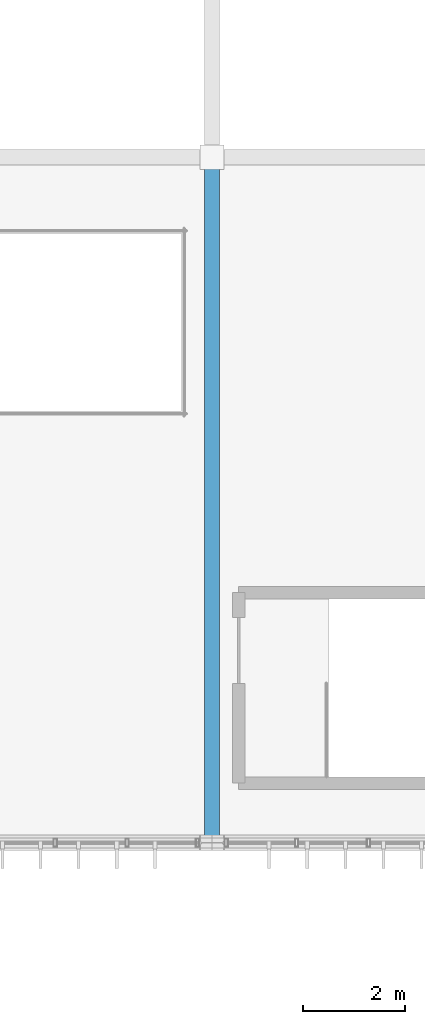
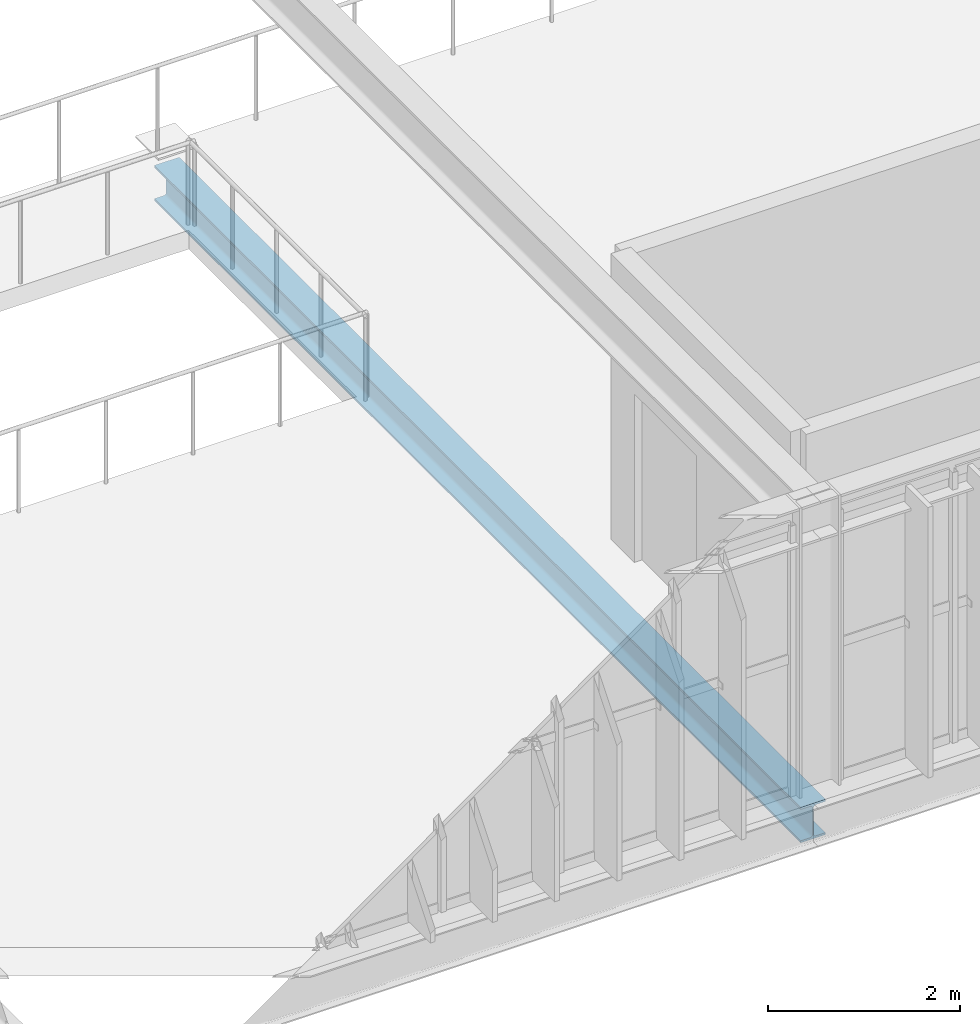
# One storey, part 23 of 152: 1 beam.
"""IFC4 building model written with IfcOpenShell, lengths in metres."""

import ifcopenshell
import ifcopenshell.guid

model = None  # the IFC model being written
_history = None  # IfcOwnerHistory: only IFC2X3 demands one
_inside = {}  # id of a spatial element -> (the spatial element, [elements in it])
_under = {}  # id of a project, library or spatial element -> (it, [spatial elements below it])
_declared = {}  # id of a project -> (the project, [libraries it declares])
_typed = {}  # id of a type object -> (the type object, [elements of that type])
_made_of = {}  # id of a material, layer set ... -> (it, [elements and type objects made of it])


def new_model(schema):
    """Start an empty IFC model of exactly this schema.

    Asked for "IFC4X3", IfcOpenShell would pick the latest addendum, in which some entities
    have other attributes; the version numbers below select the first issue.
    IFC2X3 requires an IfcOwnerHistory on every rooted entity: one is made here for all.
    """
    global model, _history
    if schema == "IFC4X3":
        model = ifcopenshell.file(schema_version=(4, 3, 0, 0))
    else:
        model = ifcopenshell.file(schema=schema)
    _inside.clear()
    _under.clear()
    _declared.clear()
    _typed.clear()
    _made_of.clear()
    _history = None
    if model.schema == "IFC2X3":
        org = make("IfcOrganization", Name="unknown")
        user = make(
            "IfcPersonAndOrganization",
            ThePerson=make("IfcPerson", FamilyName="unknown"),
            TheOrganization=org,
        )
        app = make(
            "IfcApplication",
            ApplicationDeveloper=org,
            Version="unknown",
            ApplicationFullName="unknown",
            ApplicationIdentifier="unknown",
        )
        _history = make(
            "IfcOwnerHistory",
            OwningUser=user,
            OwningApplication=app,
            ChangeAction="ADDED",
            CreationDate=0,
        )
    return model


def make(cls, **values):
    """One entity of the class cls with the attributes given. An attribute that is None is left unset."""
    return model.create_entity(
        cls, **{name: value for name, value in values.items() if value is not None}
    )


def rooted(cls, **values):
    """An entity with a GlobalId (a new one), such as an element, a storey or a relation."""
    return make(cls, GlobalId=ifcopenshell.guid.new(), OwnerHistory=_history, **values)


def si_unit(unit_type, name, prefix=None):
    """IfcSIUnit, for example si_unit("LENGTHUNIT", "METRE", prefix="MILLI")."""
    return make("IfcSIUnit", UnitType=unit_type, Prefix=prefix, Name=name)


def derived_unit(unit_type, elements):
    """IfcDerivedUnit: a product of units, each with its exponent."""
    return make(
        "IfcDerivedUnit",
        Elements=[
            make("IfcDerivedUnitElement", Unit=unit, Exponent=power)
            for unit, power in elements
        ],
        UnitType=unit_type,
    )


def assignment(units):
    """IfcUnitAssignment: the units of a project."""
    return None if units is None else make("IfcUnitAssignment", Units=units)


def point(xyz):
    """IfcCartesianPoint."""
    return None if xyz is None else make("IfcCartesianPoint", Coordinates=xyz)


def direction(xyz):
    """IfcDirection."""
    return None if xyz is None else make("IfcDirection", DirectionRatios=xyz)


def frame(location, z_axis=None, x_axis=None):
    """IfcAxis2Placement3D, a coordinate frame: its origin and axes. An axis left out is left unset."""
    return make(
        "IfcAxis2Placement3D",
        Location=point(location),
        Axis=direction(z_axis),
        RefDirection=direction(x_axis),
    )


def frame_2d(location, x_axis=None):
    """IfcAxis2Placement2D, a coordinate frame in the plane: its origin and x axis."""
    return make(
        "IfcAxis2Placement2D", Location=point(location), RefDirection=direction(x_axis)
    )


def origin():
    """The frame at (0, 0, 0) with its axes left unset."""
    return frame((0.0, 0.0, 0.0))


def origin_2d():
    """The frame at (0, 0) in the plane with its x axis left unset."""
    return frame_2d((0.0, 0.0))


def place(relative_to, where):
    """IfcLocalPlacement: puts the frame where relative to a parent placement (None: the world)."""
    return make(
        "IfcLocalPlacement", PlacementRelTo=relative_to, RelativePlacement=where
    )


def context(
    kind, dimensions, precision=None, world=None, true_north=None, identifier=None
):
    """IfcGeometricRepresentationContext, for example the 3D "Model" context."""
    return make(
        "IfcGeometricRepresentationContext",
        ContextIdentifier=identifier,
        ContextType=kind,
        CoordinateSpaceDimension=dimensions,
        Precision=precision,
        WorldCoordinateSystem=world,
        TrueNorth=true_north,
    )


def subcontext(parent, identifier, kind, view, scale=None):
    """IfcGeometricRepresentationSubContext, for example "Body" below "Model"."""
    return make(
        "IfcGeometricRepresentationSubContext",
        ContextIdentifier=identifier,
        ContextType=kind,
        ParentContext=parent,
        TargetScale=scale,
        TargetView=view,
    )


def project(units=None, contexts=None):
    """IfcProject with its units and contexts."""
    return rooted(
        "IfcProject",
        Name="project",
        RepresentationContexts=contexts,
        UnitsInContext=assignment(units),
    )


def spatial(cls, under=None, at=None, **own):
    """A site, building, storey or space (cls), placed at a placement, below another one or the project."""
    s = rooted(cls, ObjectPlacement=at, **own)
    if under is not None:
        _under.setdefault(under.id(), (under, []))[1].append(s)
    return s


def profile(cls, at=None, kind="AREA", **sizes):
    """A parametric profile (cls). Its sizes go by their IFC names, for example OverallWidth=200.0."""
    return make(cls, ProfileType=kind, Position=at, **sizes)


def i_section(**sizes):
    """IfcIShapeProfileDef."""
    return profile("IfcIShapeProfileDef", **sizes)


def extrude(swept, where, along, depth):
    """IfcExtrudedAreaSolid: the profile swept, set in the frame where, extruded along a direction by depth."""
    return make(
        "IfcExtrudedAreaSolid",
        SweptArea=swept,
        Position=where,
        ExtrudedDirection=direction(along),
        Depth=depth,
    )


def shape(context_of_items, identifier, shape_type, items):
    """IfcShapeRepresentation: the items that make up one representation, for example the "Body"."""
    return make(
        "IfcShapeRepresentation",
        ContextOfItems=context_of_items,
        RepresentationIdentifier=identifier,
        RepresentationType=shape_type,
        Items=items,
    )


def material(Name=None, Category=None):
    """IfcMaterial."""
    return make("IfcMaterial", Name=Name, Category=Category)


def material_profile(
    of_material, cross_section, Name=None, Category=None, Priority=None
):
    """IfcMaterialProfile: a cross section and its material."""
    return make(
        "IfcMaterialProfile",
        Name=Name,
        Material=of_material,
        Profile=cross_section,
        Priority=Priority,
        Category=Category,
    )


def profile_set(profiles, Name=None, composite=None):
    """IfcMaterialProfileSet."""
    return make(
        "IfcMaterialProfileSet",
        Name=Name,
        MaterialProfiles=profiles,
        CompositeProfile=composite,
    )


def made_of(thing, what):
    """Note that an element or type object is made of a material, layer set ...; save() writes the relation."""
    if what is not None:
        _made_of.setdefault(what.id(), (what, []))[1].append(thing)
    return thing


def type_object(cls, material=None, **own):
    """A type object (cls), such as IfcWallType, which elements share."""
    return made_of(rooted(cls, **own), material)


def element(
    cls,
    number,
    at=None,
    inside=None,
    cuts=None,
    type_object=None,
    material=None,
    context=None,
    identifier="Body",
    shape_type=None,
    held_by="IfcProductDefinitionShape",
    body=None,
    shapes=None,
    **own,
):
    """One element of the class cls, such as IfcWall. Its Tag is "e" and its number.

    at: its placement. inside: the storey or other place that contains it. cuts: it is an
    opening in that element (IfcRelVoidsElement). A single representation is given by context,
    identifier, shape_type and body (its items); several are given by shapes. held_by: the class
    of the entity that holds the representations. save() writes the other relations.
    """
    e = rooted(cls, Tag="e%d" % number, ObjectPlacement=at, **own)
    if body is not None:
        shapes = [shape(context, identifier, shape_type, body)]
    if shapes is not None:
        e.Representation = make(held_by, Representations=shapes)
    if inside is not None:
        _inside.setdefault(inside.id(), (inside, []))[1].append(e)
    if cuts is not None:
        rooted(
            "IfcRelVoidsElement", RelatingBuildingElement=cuts, RelatedOpeningElement=e
        )
    if type_object is not None:
        _typed.setdefault(type_object.id(), (type_object, []))[1].append(e)
    return made_of(e, material)


def aggregate(whole, parts):
    """IfcRelAggregates: a whole, such as a stair, and the parts it consists of."""
    return rooted("IfcRelAggregates", RelatingObject=whole, RelatedObjects=parts)


def save(model, path):
    """Write the relations noted so far, then the file.

    IfcRelAggregates (storeys below a building ...), IfcRelContainedInSpatialStructure (elements
    in a storey), IfcRelDefinesByType, IfcRelAssociatesMaterial and IfcRelDeclares: one each for
    every whole, place, type object, material and project.
    """
    for whole, parts in _under.values():
        aggregate(whole, parts)
    for where, things in _inside.values():
        rooted(
            "IfcRelContainedInSpatialStructure",
            RelatedElements=things,
            RelatingStructure=where,
        )
    for kind, things in _typed.values():
        rooted("IfcRelDefinesByType", RelatedObjects=things, RelatingType=kind)
    for what, things in _made_of.values():
        rooted("IfcRelAssociatesMaterial", RelatedObjects=things, RelatingMaterial=what)
    for by, libraries in _declared.values():
        rooted("IfcRelDeclares", RelatingContext=by, RelatedDefinitions=libraries)
    model.write(path)


model = new_model("IFC4")

# Units and contexts
model_context = context("Model", 3, precision=1e-05, world=origin(), true_north=direction((0.0, 1.0)))
body_context = subcontext(model_context, "Body", "Model", "MODEL_VIEW")
ifc_project = project(units=[si_unit("LENGTHUNIT", "METRE"), si_unit("AREAUNIT", "SQUARE_METRE"), si_unit("VOLUMEUNIT", "CUBIC_METRE"), si_unit("PLANEANGLEUNIT", "RADIAN"), si_unit("MASSUNIT", "GRAM", prefix="KILO"), si_unit("THERMODYNAMICTEMPERATUREUNIT", "KELVIN"), si_unit("TIMEUNIT", "SECOND"), derived_unit("THERMALTRANSMITTANCEUNIT", [(si_unit("MASSUNIT", "GRAM", prefix="KILO"), 1), (si_unit("THERMODYNAMICTEMPERATUREUNIT", "KELVIN"), -1), (si_unit("TIMEUNIT", "SECOND"), -3)])], contexts=[model_context])

# Site, building, storey
site_placement = place(None, origin())
site = spatial("IfcSite", under=ifc_project, at=site_placement, CompositionType="ELEMENT")
building_placement = place(site_placement, origin())
building = spatial("IfcBuilding", under=site, at=building_placement, Name="Cambertide Market Hall", CompositionType="ELEMENT")
storey_placement = place(building_placement, frame((0.0, 0.0, 5.39990234375)))
storey = spatial("IfcBuildingStorey", under=building, at=storey_placement, Name="L02", CompositionType="ELEMENT", Elevation=5.39990234375)

# Beam
ifc_material = material(Name="Steel S355", Category="steel")
ifc_material_profile = material_profile(ifc_material, i_section(OverallWidth=0.300048828125, OverallDepth=0.449951171875, WebThickness=0.013916015625, FlangeThickness=0.02587890625, FilletRadius=0.027099609375, at=origin_2d()), Name="HEB 450")
ifc_profile_set = profile_set([ifc_material_profile], Name="Steel S355")
beam_type = type_object("IfcBeamType", Name="Steel Girder HEB 450", PredefinedType="BEAM", material=ifc_profile_set)
beam_placement = place(storey_placement, frame((60.0, 52.0, -0.46484375), z_axis=(0.0, 1.0, 0.0), x_axis=(-1.0, 0.0, 0.0)))
element("IfcBeam", 1, at=beam_placement, inside=storey, type_object=beam_type, Name="Level 2 Beam BM-V1TS-L02-3", PredefinedType="BEAM", context=body_context, shape_type="SweptSolid", body=[
    extrude(i_section(OverallWidth=0.300048828125, OverallDepth=0.449951171875, WebThickness=0.013916015625, FlangeThickness=0.02587890625, FilletRadius=0.027099609375, at=origin_2d()), origin(), (0.0, 0.0, 1.0), 13.5),
])

save(model, "model.ifc")
